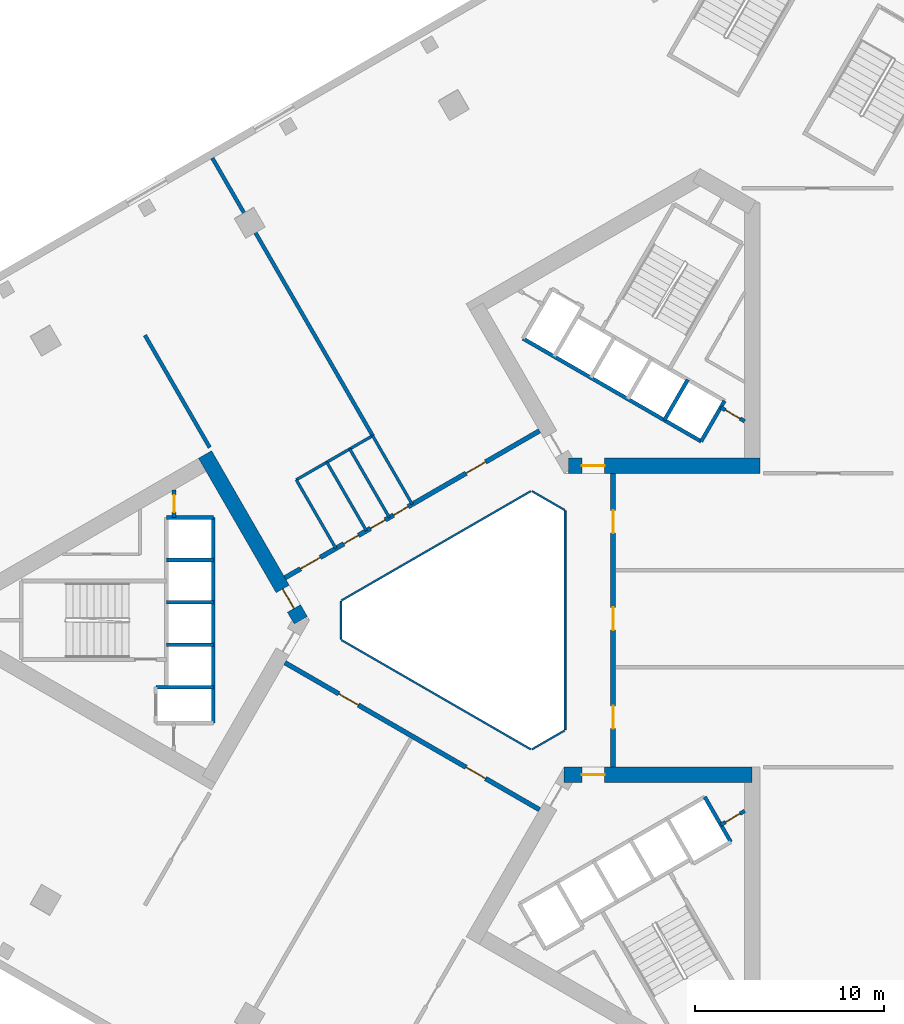
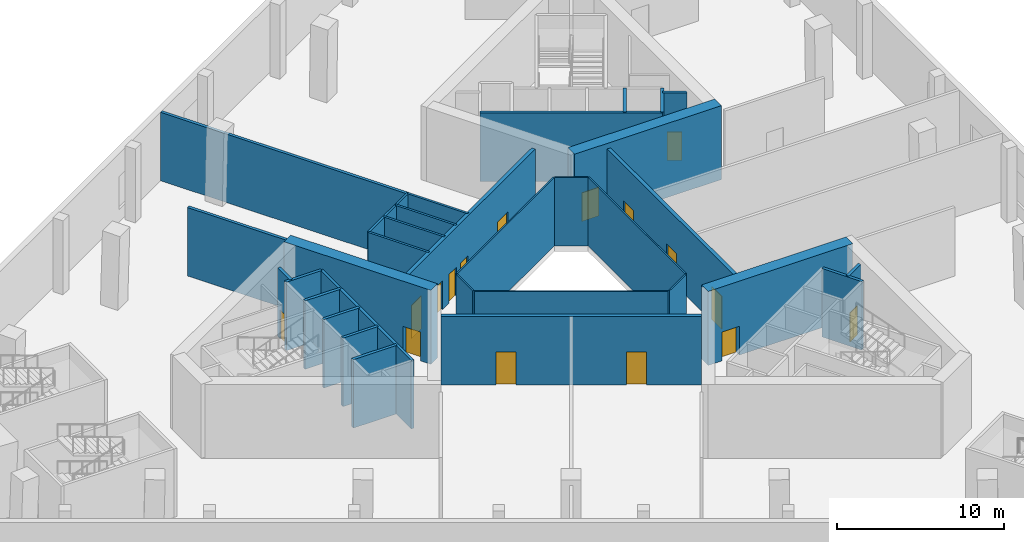
# One storey, part 9 of 35: 32 walls, 16 doors, 16 openings.
"""IFC4 building model written with IfcOpenShell, lengths in metres."""

from ifc_helpers import new_model, si_unit, direction, frame, frame_2d, origin, place, context, subcontext, project, spatial, rectangle, extrude, material, layer, layer_set, type_object, element, fill, save


model = new_model("IFC4")

# Units and contexts
model_context = context("Model", 3, precision=1e-05, world=origin(), true_north=direction((0.0, 1.0)))
body_context = subcontext(model_context, "Body", "Model", "MODEL_VIEW")
ifc_project = project(units=[si_unit("LENGTHUNIT", "METRE"), si_unit("AREAUNIT", "SQUARE_METRE"), si_unit("VOLUMEUNIT", "CUBIC_METRE"), si_unit("PLANEANGLEUNIT", "RADIAN"), si_unit("MASSUNIT", "GRAM", prefix="KILO")], contexts=[model_context])

# Site, building, storey
site_placement = place(None, origin())
site = spatial("IfcSite", under=ifc_project, at=site_placement, CompositionType="ELEMENT")
building_placement = place(site_placement, origin())
building = spatial("IfcBuilding", under=site, at=building_placement, Name="Jabali Bay Hotel Tower and Convention Centre", CompositionType="ELEMENT")
storey_placement = place(building_placement, frame((0.0, 0.0, 15.0)))
storey = spatial("IfcBuildingStorey", under=building, at=storey_placement, Name="L02", CompositionType="ELEMENT", Elevation=15.0)

# Walls
ifc_material_1 = material(Name="Fire-resistant glazing", Category="glass")
ifc_layer_1 = layer(ifc_material_1, 0.10009765625)
ifc_layer_set_1 = layer_set([ifc_layer_1], Name="Fire-resistant glazing")
wall_type_1 = type_object("IfcWallType", Name="Atrium glazed screen 100", PredefinedType="PARTITIONING", material=ifc_layer_set_1)
wall_1_placement = place(storey_placement, frame((79.56005859375, 74.205810546875, 0.0), z_axis=(0.0, 0.0, 1.0), x_axis=(0.0, 1.0, 0.0)))
element("IfcWall", 1, at=wall_1_placement, inside=storey, type_object=wall_type_1, Name="Atrium screen 1 L02", PredefinedType="PARTITIONING", context=body_context, shape_type="SweptSolid", body=[
    extrude(rectangle(XDim=11.58837890625, YDim=0.10009765625, at=frame_2d((5.794189453125, 0.0))), origin(), (0.0, 0.0, 1.0), 5.0),
])
wall_2_placement = place(storey_placement, frame((79.530029296875, 85.84619140625, 0.0), z_axis=(0.0, 0.0, 1.0), x_axis=(-0.866041268327, 0.499972520799, 0.0)))
element("IfcWall", 2, at=wall_2_placement, inside=storey, type_object=wall_type_1, Name="Atrium screen 2 L02", PredefinedType="PARTITIONING", context=body_context, shape_type="SweptSolid", body=[
    extrude(rectangle(XDim=2.0, YDim=0.10009765625, at=frame_2d((1.0, 0.0))), origin(), (0.0, 0.0, 1.0), 5.0),
])
wall_3_placement = place(storey_placement, frame((77.738037109375, 86.84619140625, 0.0), z_axis=(0.0, 0.0, 1.0), x_axis=(-0.866026658274, -0.499997827154, 0.0)))
element("IfcWall", 3, at=wall_3_placement, inside=storey, type_object=wall_type_1, Name="Atrium screen 3 L02", PredefinedType="PARTITIONING", context=body_context, shape_type="SweptSolid", body=[
    extrude(rectangle(XDim=11.58837890625, YDim=0.10009765625, at=frame_2d((5.794189453125, 0.0))), origin(), (0.0, 0.0, 1.0), 5.0),
])
wall_4_placement = place(storey_placement, frame((67.672119140625, 81.0, 0.0), z_axis=(0.0, 0.0, 1.0), x_axis=(0.0, -1.0, 0.0)))
element("IfcWall", 4, at=wall_4_placement, inside=storey, type_object=wall_type_1, Name="Atrium screen 4 L02", PredefinedType="PARTITIONING", context=body_context, shape_type="SweptSolid", body=[
    extrude(rectangle(XDim=2.0, YDim=0.10009765625, at=frame_2d((1.0, 0.0))), origin(), (0.0, 0.0, 1.0), 5.0),
])
wall_5_placement = place(storey_placement, frame((67.7021484375, 78.947998046875, 0.0), z_axis=(0.0, 0.0, 1.0), x_axis=(0.866026658274, -0.499997827154, 0.0)))
element("IfcWall", 5, at=wall_5_placement, inside=storey, type_object=wall_type_1, Name="Atrium screen 5 L02", PredefinedType="PARTITIONING", context=body_context, shape_type="SweptSolid", body=[
    extrude(rectangle(XDim=11.58837890625, YDim=0.10009765625, at=frame_2d((5.794189453125, 0.0))), origin(), (0.0, 0.0, 1.0), 5.0),
])
wall_6_placement = place(storey_placement, frame((77.7978515625, 73.15380859375, 0.0), z_axis=(0.0, 0.0, 1.0), x_axis=(0.866041268327, 0.499972520799, 0.0)))
element("IfcWall", 6, at=wall_6_placement, inside=storey, type_object=wall_type_1, Name="Atrium screen 6 L02", PredefinedType="PARTITIONING", context=body_context, shape_type="SweptSolid", body=[
    extrude(rectangle(XDim=2.0, YDim=0.10009765625, at=frame_2d((1.0, 0.0))), origin(), (0.0, 0.0, 1.0), 5.0),
])

# Wall, opening, door
ifc_material_2 = material(Name="Concrete C40", Category="concrete")
ifc_layer_2 = layer(ifc_material_2, 0.199951171875)
ifc_layer_set_2 = layer_set([ifc_layer_2], Name="Concrete C40")
wall_type_2 = type_object("IfcWallType", Name="Core partition wall 200", PredefinedType="PARTITIONING", material=ifc_layer_set_2)
wall_7_placement = place(storey_placement, frame((58.820068359375, 86.916748046875, 0.0), z_axis=(0.0, 0.0, 1.0), x_axis=(0.0, -1.0, 0.0)))
wall_7 = element("IfcWall", 7, at=wall_7_placement, inside=storey, type_object=wall_type_2, Name="Core wall 0.11 L02", PredefinedType="PARTITIONING", context=body_context, shape_type="SweptSolid", body=[
    extrude(rectangle(XDim=1.466796875, YDim=0.199951171875, at=frame_2d((0.7333984375, 0.0))), origin(), (0.0, 0.0, 1.0), 5.0),
])
opening_1_placement = place(wall_7_placement, frame((0.283447265625, 0.0, 0.0)))
opening_1 = element("IfcOpeningElement", 8, at=opening_1_placement, cuts=wall_7, Name="Opening D147", PredefinedType="OPENING", context=body_context, shape_type="SweptSolid", body=[
    extrude(rectangle(XDim=0.89990234375, YDim=2.10009765625, at=frame_2d((0.449951171875, 1.050048828125))), frame((0.0, 0.1103515625, 0.0), z_axis=(0.0, -1.0, 0.0), x_axis=(1.0, 0.0, 0.0)), (0.0, 0.0, 1.0), 0.220947265625),
])
ifc_material_3 = material(Name="Fire-rated steel door", Category="steel")
door_type_1 = type_object("IfcDoorType", Name="Vestibule fire door 900 x 2100", OperationType="NOTDEFINED", PredefinedType="NOTDEFINED", material=ifc_material_3)
door_1_placement = place(opening_1_placement, origin())
door_1 = element("IfcDoor", 9, at=door_1_placement, inside=storey, type_object=door_type_1, Name="Vestibule fire door D147", OperationType="SINGLE_SWING_LEFT", OverallHeight=2.10009765625, OverallWidth=0.89990234375, PredefinedType="NOTDEFINED", context=body_context, shape_type="SweptSolid", body=[
    extrude(rectangle(XDim=0.89990234375, YDim=2.10009765625, at=frame_2d((0.449951171875, 1.050048828125))), frame((0.0, 0.02490234375, 0.0), z_axis=(0.0, -1.0, 0.0), x_axis=(1.0, 0.0, 0.0)), (0.0, 0.0, 1.0), 0.050048828125),
])
fill(opening_1, door_1)

wall_8_placement = place(storey_placement, frame((89.080078125, 90.553955078125, 0.0), z_axis=(0.0, 0.0, 1.0), x_axis=(-0.866022048785, 0.500005810984, 0.0)))
wall_8 = element("IfcWall", 10, at=wall_8_placement, inside=storey, type_object=wall_type_2, Name="Core wall 1.11 L02", PredefinedType="PARTITIONING", context=body_context, shape_type="SweptSolid", body=[
    extrude(rectangle(XDim=1.466796875, YDim=0.199951171875, at=frame_2d((0.7333984375, 0.0))), origin(), (0.0, 0.0, 1.0), 5.0),
])
opening_2_placement = place(wall_8_placement, frame((0.283447265625, 0.0, 0.0)))
opening_2 = element("IfcOpeningElement", 11, at=opening_2_placement, cuts=wall_8, Name="Opening D153", PredefinedType="OPENING", context=body_context, shape_type="SweptSolid", body=[
    extrude(rectangle(XDim=0.89990234375, YDim=2.10009765625, at=frame_2d((0.449951171875, 1.050048828125))), frame((0.0, 0.1103515625, 0.0), z_axis=(0.0, -1.0, 0.0), x_axis=(1.0, 0.0, 0.0)), (0.0, 0.0, 1.0), 0.220947265625),
])
door_2_placement = place(opening_2_placement, origin())
door_2 = element("IfcDoor", 12, at=door_2_placement, inside=storey, type_object=door_type_1, Name="Vestibule fire door D153", OperationType="SINGLE_SWING_LEFT", OverallHeight=2.10009765625, OverallWidth=0.89990234375, PredefinedType="NOTDEFINED", context=body_context, shape_type="SweptSolid", body=[
    extrude(rectangle(XDim=0.89990234375, YDim=2.10009765625, at=frame_2d((0.449951171875, 1.050048828125))), frame((0.0, 0.02490234375, 0.0), z_axis=(0.0, -1.0, 0.0), x_axis=(1.0, 0.0, 0.0)), (0.0, 0.0, 1.0), 0.050048828125),
])
fill(opening_2, door_2)

wall_9_placement = place(storey_placement, frame((87.814697265625, 69.154296875, 0.0), z_axis=(0.0, 0.0, 1.0), x_axis=(0.866054810376, 0.49994906283, 0.0)))
wall_9 = element("IfcWall", 13, at=wall_9_placement, inside=storey, type_object=wall_type_2, Name="Core wall 2.12 L02", PredefinedType="PARTITIONING", context=body_context, shape_type="SweptSolid", body=[
    extrude(rectangle(XDim=1.461181640625, YDim=0.199951171875, at=frame_2d((0.73046875, 0.0))), origin(), (0.0, 0.0, 1.0), 5.0),
])
opening_3_placement = place(wall_9_placement, frame((0.280517578125, 0.0, 0.0)))
opening_3 = element("IfcOpeningElement", 14, at=opening_3_placement, cuts=wall_9, Name="Opening D158", PredefinedType="OPENING", context=body_context, shape_type="SweptSolid", body=[
    extrude(rectangle(XDim=0.89990234375, YDim=2.10009765625, at=frame_2d((0.449951171875, 1.050048828125))), frame((0.0, 0.1103515625, 0.0), z_axis=(0.0, -1.0, 0.0), x_axis=(1.0, 0.0, 0.0)), (0.0, 0.0, 1.0), 0.220947265625),
])
door_3_placement = place(opening_3_placement, origin())
door_3 = element("IfcDoor", 15, at=door_3_placement, inside=storey, type_object=door_type_1, Name="Vestibule fire door D158", OperationType="SINGLE_SWING_LEFT", OverallHeight=2.10009765625, OverallWidth=0.89990234375, PredefinedType="NOTDEFINED", context=body_context, shape_type="SweptSolid", body=[
    extrude(rectangle(XDim=0.89990234375, YDim=2.10009765625, at=frame_2d((0.449951171875, 1.050048828125))), frame((0.0, 0.02490234375, 0.0), z_axis=(0.0, -1.0, 0.0), x_axis=(1.0, 0.0, 0.0)), (0.0, 0.0, 1.0), 0.050048828125),
])
fill(opening_3, door_3)

# Walls
ifc_layer_3 = layer(ifc_material_2, 0.199951171875)
ifc_layer_set_3 = layer_set([ifc_layer_3], Name="Concrete C40")
wall_type_3 = type_object("IfcWallType", Name="Core stair wall 200", PredefinedType="SOLIDWALL", material=ifc_layer_set_3)
for number, where, z_axis, x_axis, name in (
    (16, (60.89990234375, 85.449951171875, 0.0), (0.0, 0.0, 1.0), (-1.0, 0.0, 0.0), "Core wall 0.0 L02"),
    (17, (60.89990234375, 83.199951171875, 0.0), (0.0, 0.0, 1.0), (-1.0, 0.0, 0.0), "Core wall 0.2 L02"),
    (18, (60.89990234375, 80.949951171875, 0.0), (0.0, 0.0, 1.0), (-1.0, 0.0, 0.0), "Core wall 0.4 L02"),
    (19, (60.89990234375, 78.699951171875, 0.0), (0.0, 0.0, 1.0), (-1.0, 0.0, 0.0), "Core wall 0.6 L02"),
):
    element("IfcWall", number, at=place(storey_placement, frame(where, z_axis=z_axis, x_axis=x_axis)), inside=storey, type_object=wall_type_3, Name=name, PredefinedType="SOLIDWALL", context=body_context, shape_type="SweptSolid", body=[
        extrude(rectangle(XDim=2.47998046875, YDim=0.199951171875, at=frame_2d((1.239990234375, 0.0))), origin(), (0.0, 0.0, 1.0), 5.0),
    ])
wall_10_placement = place(storey_placement, frame((60.89990234375, 76.449951171875, 0.0), z_axis=(0.0, 0.0, 1.0), x_axis=(-1.0, 0.0, 0.0)))
element("IfcWall", 20, at=wall_10_placement, inside=storey, type_object=wall_type_3, Name="Core wall 0.8 L02", PredefinedType="SOLIDWALL", context=body_context, shape_type="SweptSolid", body=[
    extrude(rectangle(XDim=3.0498046875, YDim=0.199951171875, at=frame_2d((1.52490234375, 0.0))), origin(), (0.0, 0.0, 1.0), 5.0),
])
wall_11_placement = place(storey_placement, frame((60.89990234375, 85.449951171875, 0.0), z_axis=(0.0, 0.0, 1.0), x_axis=(0.0, -1.0, 0.0)))
element("IfcWall", 21, at=wall_11_placement, inside=storey, type_object=wall_type_3, Name="Core wall 0.10 L02", PredefinedType="SOLIDWALL", context=body_context, shape_type="SweptSolid", body=[
    extrude(rectangle(XDim=10.89990234375, YDim=0.199951171875, at=frame_2d((5.449951171875, 0.0))), origin(), (0.0, 0.0, 1.0), 5.0),
])
for number, where, z_axis, x_axis, name in (
    (22, (86.769775390625, 89.48583984375, 0.0), (0.0, 0.0, 1.0), (0.499961042966, 0.86604789447, 0.0), "Core wall 1.0 L02"),
    (23, (84.8212890625, 90.61083984375, 0.0), (0.0, 0.0, 1.0), (0.499961042966, 0.86604789447, 0.0), "Core wall 1.2 L02"),
):
    element("IfcWall", number, at=place(storey_placement, frame(where, z_axis=z_axis, x_axis=x_axis)), inside=storey, type_object=wall_type_3, Name=name, PredefinedType="SOLIDWALL", context=body_context, shape_type="SweptSolid", body=[
        extrude(rectangle(XDim=2.480224609375, YDim=0.199951171875, at=frame_2d((1.240234375, 0.0))), origin(), (0.0, 0.0, 1.0), 5.0),
    ])
wall_12_placement = place(storey_placement, frame((86.769775390625, 89.48583984375, 0.0), z_axis=(0.0, 0.0, 1.0), x_axis=(-0.86601811187, 0.500012629753, 0.0)))
element("IfcWall", 24, at=wall_12_placement, inside=storey, type_object=wall_type_3, Name="Core wall 1.10 L02", PredefinedType="SOLIDWALL", context=body_context, shape_type="SweptSolid", body=[
    extrude(rectangle(XDim=10.900146484375, YDim=0.199951171875, at=frame_2d((5.4501953125, 0.0))), origin(), (0.0, 0.0, 1.0), 5.0),
])
wall_13_placement = place(storey_placement, frame((86.964599609375, 70.62646484375, 0.0), z_axis=(0.0, 0.0, 1.0), x_axis=(0.499996545922, -0.866027397988, 0.0)))
element("IfcWall", 25, at=wall_13_placement, inside=storey, type_object=wall_type_3, Name="Core wall 2.9 L02", PredefinedType="SOLIDWALL", context=body_context, shape_type="SweptSolid", body=[
    extrude(rectangle(XDim=2.75, YDim=0.199951171875, at=frame_2d((1.375, 0.0))), origin(), (0.0, 0.0, 1.0), 5.0),
])

# Wall, opening, door
ifc_material_4 = material(Name="Concrete C60", Category="concrete")
ifc_layer_4 = layer(ifc_material_4, 0.800048828125)
ifc_layer_set_4 = layer_set([ifc_layer_4], Name="Concrete C60")
wall_type_4 = type_object("IfcWallType", Name="Core wall 800", PredefinedType="SHEAR", material=ifc_layer_set_4)
wall_14_placement = place(storey_placement, frame((65.5380859375, 80.0, 0.0), z_axis=(0.0, 0.0, 1.0), x_axis=(-0.49999662545, 0.866027352073, 0.0)))
wall_14 = element("IfcWall", 26, at=wall_14_placement, inside=storey, type_object=wall_type_4, Name="Core wall 1.1 L02", PredefinedType="SHEAR", context=body_context, shape_type="SweptSolid", body=[
    extrude(rectangle(XDim=10.14892578125, YDim=0.800048828125, at=frame_2d((5.074462890625, 0.0))), origin(), (0.0, 0.0, 1.0), 5.39990234375),
])
opening_4_placement = place(wall_14_placement, frame((0.718994140625, 0.0, 0.0)))
opening_4 = element("IfcOpeningElement", 27, at=opening_4_placement, cuts=wall_14, Name="Opening D144", PredefinedType="OPENING", context=body_context, shape_type="SweptSolid", body=[
    extrude(rectangle(XDim=1.199951171875, YDim=2.10009765625, at=frame_2d((0.60009765625, 1.050048828125))), frame((0.0, 0.41064453125, 0.0), z_axis=(0.0, -1.0, 0.0), x_axis=(1.0, 0.0, 0.0)), (0.0, 0.0, 1.0), 0.821044921875),
])
door_type_2 = type_object("IfcDoorType", Name="Corridor end fire door 1200 x 2100", OperationType="NOTDEFINED", PredefinedType="NOTDEFINED", material=ifc_material_3)
door_4_placement = place(opening_4_placement, origin())
door_4 = element("IfcDoor", 28, at=door_4_placement, inside=storey, type_object=door_type_2, Name="Corridor end fire door D144", OperationType="SINGLE_SWING_RIGHT", OverallHeight=2.10009765625, OverallWidth=1.199951171875, PredefinedType="NOTDEFINED", context=body_context, shape_type="SweptSolid", body=[
    extrude(rectangle(XDim=1.199951171875, YDim=2.10009765625, at=frame_2d((0.60009765625, 1.050048828125))), frame((0.0, 0.02490234375, 0.0), z_axis=(0.0, -1.0, 0.0), x_axis=(1.0, 0.0, 0.0)), (0.0, 0.0, 1.0), 0.050048828125),
])
fill(opening_4, door_4)

wall_15_placement = place(storey_placement, frame((79.73095703125, 88.1943359375, 0.0), z_axis=(0.0, 0.0, 1.0), x_axis=(1.0, 0.0, 0.0)))
wall_15 = element("IfcWall", 29, at=wall_15_placement, inside=storey, type_object=wall_type_4, Name="Core wall 2.1 L02", PredefinedType="SHEAR", context=body_context, shape_type="SweptSolid", body=[
    extrude(rectangle(XDim=10.14892578125, YDim=0.800048828125, at=frame_2d((5.074462890625, 0.0))), origin(), (0.0, 0.0, 1.0), 5.39990234375),
])
opening_5_placement = place(wall_15_placement, frame((0.718994140625, 0.0, 0.0)))
opening_5 = element("IfcOpeningElement", 30, at=opening_5_placement, cuts=wall_15, Name="Opening D150", PredefinedType="OPENING", context=body_context, shape_type="SweptSolid", body=[
    extrude(rectangle(XDim=1.199951171875, YDim=2.10009765625, at=frame_2d((0.60009765625, 1.050048828125))), frame((0.0, 0.41064453125, 0.0), z_axis=(0.0, -1.0, 0.0), x_axis=(1.0, 0.0, 0.0)), (0.0, 0.0, 1.0), 0.821044921875),
])
door_5_placement = place(opening_5_placement, origin())
door_5 = element("IfcDoor", 31, at=door_5_placement, inside=storey, type_object=door_type_2, Name="Corridor end fire door D150", OperationType="SINGLE_SWING_RIGHT", OverallHeight=2.10009765625, OverallWidth=1.199951171875, PredefinedType="NOTDEFINED", context=body_context, shape_type="SweptSolid", body=[
    extrude(rectangle(XDim=1.199951171875, YDim=2.10009765625, at=frame_2d((0.60009765625, 1.050048828125))), frame((0.0, 0.02490234375, 0.0), z_axis=(0.0, -1.0, 0.0), x_axis=(1.0, 0.0, 0.0)), (0.0, 0.0, 1.0), 0.050048828125),
])
fill(opening_5, door_5)

wall_16_placement = place(storey_placement, frame((89.47998046875, 71.8056640625, 0.0), z_axis=(0.0, 0.0, 1.0), x_axis=(-1.0, 0.0, 0.0)))
wall_16 = element("IfcWall", 32, at=wall_16_placement, inside=storey, type_object=wall_type_4, Name="Core wall 3.5 L02", PredefinedType="SHEAR", context=body_context, shape_type="SweptSolid", body=[
    extrude(rectangle(XDim=9.97998046875, YDim=0.800048828125, at=frame_2d((4.989990234375, 0.0))), origin(), (0.0, 0.0, 1.0), 5.39990234375),
])
opening_6_placement = place(wall_16_placement, frame((7.830078125, 0.0, 0.0)))
opening_6 = element("IfcOpeningElement", 33, at=opening_6_placement, cuts=wall_16, Name="Opening D157", PredefinedType="OPENING", context=body_context, shape_type="SweptSolid", body=[
    extrude(rectangle(XDim=1.199951171875, YDim=2.10009765625, at=frame_2d((0.60009765625, 1.050048828125))), frame((0.0, 0.41064453125, 0.0), z_axis=(0.0, -1.0, 0.0), x_axis=(1.0, 0.0, 0.0)), (0.0, 0.0, 1.0), 0.821044921875),
])
door_6_placement = place(opening_6_placement, origin())
door_6 = element("IfcDoor", 34, at=door_6_placement, inside=storey, type_object=door_type_2, Name="Corridor end fire door D157", OperationType="SINGLE_SWING_LEFT", OverallHeight=2.10009765625, OverallWidth=1.199951171875, PredefinedType="NOTDEFINED", context=body_context, shape_type="SweptSolid", body=[
    extrude(rectangle(XDim=1.199951171875, YDim=2.10009765625, at=frame_2d((0.60009765625, 1.050048828125))), frame((0.0, 0.02490234375, 0.0), z_axis=(0.0, -1.0, 0.0), x_axis=(1.0, 0.0, 0.0)), (0.0, 0.0, 1.0), 0.050048828125),
])
fill(opening_6, door_6)

# Wall, openings, doors
ifc_layer_5 = layer(ifc_material_4, 0.25)
ifc_layer_set_5 = layer_set([ifc_layer_5], Name="Concrete C60")
wall_type_5 = type_object("IfcWallType", Name="Corridor wall 250", PredefinedType="SHEAR", material=ifc_layer_set_5)
wall_17_placement = place(storey_placement, frame((82.10009765625, 72.205810546875, 0.0), z_axis=(0.0, 0.0, 1.0), x_axis=(0.0, 1.0, 0.0)))
wall_17 = element("IfcWall", 35, at=wall_17_placement, inside=storey, type_object=wall_type_5, Name="Corridor wall 1 L02", PredefinedType="SHEAR", context=body_context, shape_type="SweptSolid", body=[
    extrude(rectangle(XDim=15.58837890625, YDim=0.25, at=frame_2d((7.794189453125, 0.0))), origin(), (0.0, 0.0, 1.0), 5.0),
])
opening_7_placement = place(wall_17_placement, frame((2.050048828125, 0.0, 0.0)))
opening_7 = element("IfcOpeningElement", 36, at=opening_7_placement, cuts=wall_17, Name="Opening 0201", PredefinedType="OPENING", context=body_context, shape_type="SweptSolid", body=[
    extrude(rectangle(XDim=1.199951171875, YDim=2.39990234375, at=frame_2d((0.60009765625, 1.199951171875))), frame((0.0, 0.135498046875, 0.0), z_axis=(0.0, -1.0, 0.0), x_axis=(1.0, 0.0, 0.0)), (0.0, 0.0, 1.0), 0.27099609375),
])
opening_8_placement = place(wall_17_placement, frame((7.272216796875, 0.0, 0.0)))
opening_8 = element("IfcOpeningElement", 37, at=opening_8_placement, cuts=wall_17, Name="Opening 0202", PredefinedType="OPENING", context=body_context, shape_type="SweptSolid", body=[
    extrude(rectangle(XDim=1.199951171875, YDim=2.39990234375, at=frame_2d((0.60009765625, 1.199951171875))), frame((0.0, 0.135498046875, 0.0), z_axis=(0.0, -1.0, 0.0), x_axis=(1.0, 0.0, 0.0)), (0.0, 0.0, 1.0), 0.27099609375),
])
opening_9_placement = place(wall_17_placement, frame((12.41650390625, 0.0, 0.0)))
opening_9 = element("IfcOpeningElement", 38, at=opening_9_placement, cuts=wall_17, Name="Opening 0203", PredefinedType="OPENING", context=body_context, shape_type="SweptSolid", body=[
    extrude(rectangle(XDim=1.199951171875, YDim=2.39990234375, at=frame_2d((0.60009765625, 1.199951171875))), frame((0.0, 0.135498046875, 0.0), z_axis=(0.0, -1.0, 0.0), x_axis=(1.0, 0.0, 0.0)), (0.0, 0.0, 1.0), 0.27099609375),
])
ifc_material_5 = material(Name="Timber", Category="wood")
door_type_3 = type_object("IfcDoorType", Name="Public room door 1200 x 2400", OperationType="NOTDEFINED", PredefinedType="NOTDEFINED", material=ifc_material_5)
door_7_placement = place(opening_7_placement, origin())
door_7 = element("IfcDoor", 39, at=door_7_placement, inside=storey, type_object=door_type_3, Name="Door 0201", OperationType="SINGLE_SWING_LEFT", OverallHeight=2.39990234375, OverallWidth=1.199951171875, PredefinedType="NOTDEFINED", context=body_context, shape_type="SweptSolid", body=[
    extrude(rectangle(XDim=1.199951171875, YDim=2.39990234375, at=frame_2d((0.60009765625, 1.199951171875))), frame((0.0, 0.02490234375, 0.0), z_axis=(0.0, -1.0, 0.0), x_axis=(1.0, 0.0, 0.0)), (0.0, 0.0, 1.0), 0.050048828125),
])
fill(opening_7, door_7)
door_8_placement = place(opening_8_placement, origin())
door_8 = element("IfcDoor", 40, at=door_8_placement, inside=storey, type_object=door_type_3, Name="Door 0202", OperationType="SINGLE_SWING_RIGHT", OverallHeight=2.39990234375, OverallWidth=1.199951171875, PredefinedType="NOTDEFINED", context=body_context, shape_type="SweptSolid", body=[
    extrude(rectangle(XDim=1.199951171875, YDim=2.39990234375, at=frame_2d((0.60009765625, 1.199951171875))), frame((0.0, 0.02490234375, 0.0), z_axis=(0.0, -1.0, 0.0), x_axis=(1.0, 0.0, 0.0)), (0.0, 0.0, 1.0), 0.050048828125),
])
fill(opening_8, door_8)
door_9_placement = place(opening_9_placement, origin())
door_9 = element("IfcDoor", 41, at=door_9_placement, inside=storey, type_object=door_type_3, Name="Door 0203", OperationType="SINGLE_SWING_RIGHT", OverallHeight=2.39990234375, OverallWidth=1.199951171875, PredefinedType="NOTDEFINED", context=body_context, shape_type="SweptSolid", body=[
    extrude(rectangle(XDim=1.199951171875, YDim=2.39990234375, at=frame_2d((0.60009765625, 1.199951171875))), frame((0.0, 0.02490234375, 0.0), z_axis=(0.0, -1.0, 0.0), x_axis=(1.0, 0.0, 0.0)), (0.0, 0.0, 1.0), 0.050048828125),
])
fill(opening_9, door_9)

wall_18_placement = place(storey_placement, frame((78.199951171875, 90.0458984375, 0.0), z_axis=(0.0, 0.0, 1.0), x_axis=(-0.866026492143, -0.499998114903, 0.0)))
wall_18 = element("IfcWall", 42, at=wall_18_placement, inside=storey, type_object=wall_type_5, Name="Corridor wall 2 L02", PredefinedType="SHEAR", context=body_context, shape_type="SweptSolid", body=[
    extrude(rectangle(XDim=15.58837890625, YDim=0.25, at=frame_2d((7.794189453125, 0.0))), origin(), (0.0, 0.0, 1.0), 5.0),
])
opening_10_placement = place(wall_18_placement, frame((3.297119140625, 0.0, 0.0)))
opening_10 = element("IfcOpeningElement", 43, at=opening_10_placement, cuts=wall_18, Name="Opening 0204", PredefinedType="OPENING", context=body_context, shape_type="SweptSolid", body=[
    extrude(rectangle(XDim=1.199951171875, YDim=2.39990234375, at=frame_2d((0.60009765625, 1.199951171875))), frame((0.0, 0.135498046875, 0.0), z_axis=(0.0, -1.0, 0.0), x_axis=(1.0, 0.0, 0.0)), (0.0, 0.0, 1.0), 0.27099609375),
])
opening_11_placement = place(wall_18_placement, frame((8.045654296875, 0.0, 0.0)))
opening_11 = element("IfcOpeningElement", 44, at=opening_11_placement, cuts=wall_18, Name="Opening 0205", PredefinedType="OPENING", context=body_context, shape_type="SweptSolid", body=[
    extrude(rectangle(XDim=0.89990234375, YDim=2.10009765625, at=frame_2d((0.449951171875, 1.050048828125))), frame((0.0, 0.135498046875, 0.0), z_axis=(0.0, -1.0, 0.0), x_axis=(1.0, 0.0, 0.0)), (0.0, 0.0, 1.0), 0.27099609375),
])
opening_12_placement = place(wall_18_placement, frame((9.44873046875, 0.0, 0.0)))
opening_12 = element("IfcOpeningElement", 45, at=opening_12_placement, cuts=wall_18, Name="Opening 0206", PredefinedType="OPENING", context=body_context, shape_type="SweptSolid", body=[
    extrude(rectangle(XDim=0.89990234375, YDim=2.10009765625, at=frame_2d((0.449951171875, 1.050048828125))), frame((0.0, 0.135498046875, 0.0), z_axis=(0.0, -1.0, 0.0), x_axis=(1.0, 0.0, 0.0)), (0.0, 0.0, 1.0), 0.27099609375),
])
opening_13_placement = place(wall_18_placement, frame((11.08544921875, 0.0, 0.0)))
opening_13 = element("IfcOpeningElement", 46, at=opening_13_placement, cuts=wall_18, Name="Opening 0207", PredefinedType="OPENING", context=body_context, shape_type="SweptSolid", body=[
    extrude(rectangle(XDim=0.89990234375, YDim=2.10009765625, at=frame_2d((0.449951171875, 1.050048828125))), frame((0.0, 0.135498046875, 0.0), z_axis=(0.0, -1.0, 0.0), x_axis=(1.0, 0.0, 0.0)), (0.0, 0.0, 1.0), 0.27099609375),
])
opening_14_placement = place(wall_18_placement, frame((13.4296875, 0.0, 0.0)))
opening_14 = element("IfcOpeningElement", 47, at=opening_14_placement, cuts=wall_18, Name="Opening 0208", PredefinedType="OPENING", context=body_context, shape_type="SweptSolid", body=[
    extrude(rectangle(XDim=1.199951171875, YDim=2.39990234375, at=frame_2d((0.60009765625, 1.199951171875))), frame((0.0, 0.135498046875, 0.0), z_axis=(0.0, -1.0, 0.0), x_axis=(1.0, 0.0, 0.0)), (0.0, 0.0, 1.0), 0.27099609375),
])
door_type_4 = type_object("IfcDoorType", Name="Accessible en-suite door 900 x 2100", OperationType="NOTDEFINED", PredefinedType="NOTDEFINED", material=ifc_material_5)
door_10_placement = place(opening_13_placement, origin())
door_10 = element("IfcDoor", 48, at=door_10_placement, inside=storey, type_object=door_type_4, Name="Door 0207", OperationType="SINGLE_SWING_RIGHT", OverallHeight=2.10009765625, OverallWidth=0.89990234375, PredefinedType="NOTDEFINED", context=body_context, shape_type="SweptSolid", body=[
    extrude(rectangle(XDim=0.89990234375, YDim=2.10009765625, at=frame_2d((0.449951171875, 1.050048828125))), frame((0.0, 0.02490234375, 0.0), z_axis=(0.0, -1.0, 0.0), x_axis=(1.0, 0.0, 0.0)), (0.0, 0.0, 1.0), 0.050048828125),
])
fill(opening_13, door_10)
door_type_5 = type_object("IfcDoorType", Name="Internal door 900 x 2100", OperationType="NOTDEFINED", PredefinedType="NOTDEFINED", material=ifc_material_5)
door_11_placement = place(opening_11_placement, origin())
door_11 = element("IfcDoor", 49, at=door_11_placement, inside=storey, type_object=door_type_5, Name="Door 0205", OperationType="SINGLE_SWING_RIGHT", OverallHeight=2.10009765625, OverallWidth=0.89990234375, PredefinedType="NOTDEFINED", context=body_context, shape_type="SweptSolid", body=[
    extrude(rectangle(XDim=0.89990234375, YDim=2.10009765625, at=frame_2d((0.449951171875, 1.050048828125))), frame((0.0, 0.02490234375, 0.0), z_axis=(0.0, -1.0, 0.0), x_axis=(1.0, 0.0, 0.0)), (0.0, 0.0, 1.0), 0.050048828125),
])
fill(opening_11, door_11)
door_12_placement = place(opening_12_placement, origin())
door_12 = element("IfcDoor", 50, at=door_12_placement, inside=storey, type_object=door_type_5, Name="Door 0206", OperationType="SINGLE_SWING_RIGHT", OverallHeight=2.10009765625, OverallWidth=0.89990234375, PredefinedType="NOTDEFINED", context=body_context, shape_type="SweptSolid", body=[
    extrude(rectangle(XDim=0.89990234375, YDim=2.10009765625, at=frame_2d((0.449951171875, 1.050048828125))), frame((0.0, 0.02490234375, 0.0), z_axis=(0.0, -1.0, 0.0), x_axis=(1.0, 0.0, 0.0)), (0.0, 0.0, 1.0), 0.050048828125),
])
fill(opening_12, door_12)
door_13_placement = place(opening_10_placement, origin())
door_13 = element("IfcDoor", 51, at=door_13_placement, inside=storey, type_object=door_type_3, Name="Door 0204", OperationType="SINGLE_SWING_LEFT", OverallHeight=2.39990234375, OverallWidth=1.199951171875, PredefinedType="NOTDEFINED", context=body_context, shape_type="SweptSolid", body=[
    extrude(rectangle(XDim=1.199951171875, YDim=2.39990234375, at=frame_2d((0.60009765625, 1.199951171875))), frame((0.0, 0.02490234375, 0.0), z_axis=(0.0, -1.0, 0.0), x_axis=(1.0, 0.0, 0.0)), (0.0, 0.0, 1.0), 0.050048828125),
])
fill(opening_10, door_13)
door_14_placement = place(opening_14_placement, origin())
door_14 = element("IfcDoor", 52, at=door_14_placement, inside=storey, type_object=door_type_3, Name="Door 0208", OperationType="SINGLE_SWING_RIGHT", OverallHeight=2.39990234375, OverallWidth=1.199951171875, PredefinedType="NOTDEFINED", context=body_context, shape_type="SweptSolid", body=[
    extrude(rectangle(XDim=1.199951171875, YDim=2.39990234375, at=frame_2d((0.60009765625, 1.199951171875))), frame((0.0, 0.02490234375, 0.0), z_axis=(0.0, -1.0, 0.0), x_axis=(1.0, 0.0, 0.0)), (0.0, 0.0, 1.0), 0.050048828125),
])
fill(opening_14, door_14)

wall_19_placement = place(storey_placement, frame((64.699951171875, 77.748291015625, 0.0), z_axis=(0.0, 0.0, 1.0), x_axis=(0.866026492143, -0.499998114903, 0.0)))
wall_19 = element("IfcWall", 53, at=wall_19_placement, inside=storey, type_object=wall_type_5, Name="Corridor wall 3 L02", PredefinedType="SHEAR", context=body_context, shape_type="SweptSolid", body=[
    extrude(rectangle(XDim=15.58837890625, YDim=0.25, at=frame_2d((7.794189453125, 0.0))), origin(), (0.0, 0.0, 1.0), 5.0),
])
opening_15_placement = place(wall_19_placement, frame((3.297119140625, 0.0, 0.0)))
opening_15 = element("IfcOpeningElement", 54, at=opening_15_placement, cuts=wall_19, Name="Opening 0209", PredefinedType="OPENING", context=body_context, shape_type="SweptSolid", body=[
    extrude(rectangle(XDim=1.199951171875, YDim=2.39990234375, at=frame_2d((0.60009765625, 1.199951171875))), frame((0.0, 0.135498046875, 0.0), z_axis=(0.0, -1.0, 0.0), x_axis=(1.0, 0.0, 0.0)), (0.0, 0.0, 1.0), 0.27099609375),
])
opening_16_placement = place(wall_19_placement, frame((11.09130859375, 0.0, 0.0)))
opening_16 = element("IfcOpeningElement", 55, at=opening_16_placement, cuts=wall_19, Name="Opening 0210", PredefinedType="OPENING", context=body_context, shape_type="SweptSolid", body=[
    extrude(rectangle(XDim=1.199951171875, YDim=2.39990234375, at=frame_2d((0.60009765625, 1.199951171875))), frame((0.0, 0.135498046875, 0.0), z_axis=(0.0, -1.0, 0.0), x_axis=(1.0, 0.0, 0.0)), (0.0, 0.0, 1.0), 0.27099609375),
])
door_15_placement = place(opening_15_placement, origin())
door_15 = element("IfcDoor", 56, at=door_15_placement, inside=storey, type_object=door_type_3, Name="Door 0209", OperationType="SINGLE_SWING_LEFT", OverallHeight=2.39990234375, OverallWidth=1.199951171875, PredefinedType="NOTDEFINED", context=body_context, shape_type="SweptSolid", body=[
    extrude(rectangle(XDim=1.199951171875, YDim=2.39990234375, at=frame_2d((0.60009765625, 1.199951171875))), frame((0.0, 0.02490234375, 0.0), z_axis=(0.0, -1.0, 0.0), x_axis=(1.0, 0.0, 0.0)), (0.0, 0.0, 1.0), 0.050048828125),
])
fill(opening_15, door_15)
door_16_placement = place(opening_16_placement, origin())
door_16 = element("IfcDoor", 57, at=door_16_placement, inside=storey, type_object=door_type_3, Name="Door 0210", OperationType="SINGLE_SWING_RIGHT", OverallHeight=2.39990234375, OverallWidth=1.199951171875, PredefinedType="NOTDEFINED", context=body_context, shape_type="SweptSolid", body=[
    extrude(rectangle(XDim=1.199951171875, YDim=2.39990234375, at=frame_2d((0.60009765625, 1.199951171875))), frame((0.0, 0.02490234375, 0.0), z_axis=(0.0, -1.0, 0.0), x_axis=(1.0, 0.0, 0.0)), (0.0, 0.0, 1.0), 0.050048828125),
])
fill(opening_16, door_16)

# Walls
ifc_material_6 = material(Name="Plasterboard on steel stud", Category="steel")
ifc_layer_6 = layer(ifc_material_6, 0.14990234375)
ifc_layer_set_6 = layer_set([ifc_layer_6], Name="Plasterboard on steel stud")
wall_type_6 = type_object("IfcWallType", Name="Partition 150 wet", PredefinedType="PARTITIONING", material=ifc_layer_set_6)
wall_20_placement = place(storey_placement, frame((69.35009765625, 89.7861328125, 0.0), z_axis=(0.0, 0.0, 1.0), x_axis=(0.499958946799, -0.866049104564, 0.0)))
element("IfcWall", 58, at=wall_20_placement, inside=storey, type_object=wall_type_6, Name="Partition P03 L02 005", PredefinedType="PARTITIONING", context=body_context, shape_type="SweptSolid", body=[
    extrude(rectangle(XDim=4.199951171875, YDim=0.14990234375, at=frame_2d((2.10009765625, 0.0))), origin(), (0.0, 0.0, 1.0), 5.0),
])
wall_21_placement = place(storey_placement, frame((68.135009765625, 89.084716796875, 0.0), z_axis=(0.0, 0.0, 1.0), x_axis=(0.500002543286, -0.866023935413, 0.0)))
element("IfcWall", 59, at=wall_21_placement, inside=storey, type_object=wall_type_6, Name="Partition P03 L02 007", PredefinedType="PARTITIONING", context=body_context, shape_type="SweptSolid", body=[
    extrude(rectangle(XDim=4.2001953125, YDim=0.14990234375, at=frame_2d((2.10009765625, 0.0))), origin(), (0.0, 0.0, 1.0), 5.0),
])
wall_22_placement = place(storey_placement, frame((66.919921875, 88.383056640625, 0.0), z_axis=(0.0, 0.0, 1.0), x_axis=(0.500027713859, -0.866009402589, 0.0)))
element("IfcWall", 60, at=wall_22_placement, inside=storey, type_object=wall_type_6, Name="Partition P03 L02 008", PredefinedType="PARTITIONING", context=body_context, shape_type="SweptSolid", body=[
    extrude(rectangle(XDim=4.199951171875, YDim=0.14990234375, at=frame_2d((2.10009765625, 0.0))), origin(), (0.0, 0.0, 1.0), 5.0),
])
wall_23_placement = place(storey_placement, frame((69.3505859375, 89.78515625, 0.0), z_axis=(0.0, 0.0, 1.0), x_axis=(-0.866040404911, -0.499974016386, 0.0)))
element("IfcWall", 61, at=wall_23_placement, inside=storey, type_object=wall_type_6, Name="Partition P03 L02 009", PredefinedType="PARTITIONING", context=body_context, shape_type="SweptSolid", body=[
    extrude(rectangle(XDim=4.676513671875, YDim=0.14990234375, at=frame_2d((2.33837890625, 0.0))), origin(), (0.0, 0.0, 1.0), 5.0),
])
wall_24_placement = place(storey_placement, frame((65.300537109375, 87.447021484375, 0.0), z_axis=(0.0, 0.0, 1.0), x_axis=(0.499972428603, -0.866041321553, 0.0)))
element("IfcWall", 62, at=wall_24_placement, inside=storey, type_object=wall_type_6, Name="Partition P03 L02 010", PredefinedType="PARTITIONING", context=body_context, shape_type="SweptSolid", body=[
    extrude(rectangle(XDim=4.198974609375, YDim=0.14990234375, at=frame_2d((2.099609375, 0.0))), origin(), (0.0, 0.0, 1.0), 5.0),
])
ifc_layer_7 = layer(ifc_material_6, 0.199951171875)
ifc_layer_set_7 = layer_set([ifc_layer_7], Name="Plasterboard on steel stud")
wall_type_7 = type_object("IfcWallType", Name="Partition 200 party", PredefinedType="PARTITIONING", material=ifc_layer_set_7)
wall_25_placement = place(storey_placement, frame((60.850341796875, 104.509765625, 0.0), z_axis=(0.0, 0.0, 1.0), x_axis=(0.500003389066, -0.866023447097, 0.0)))
element("IfcWall", 63, at=wall_25_placement, inside=storey, type_object=wall_type_7, Name="Partition P01 L02 006", PredefinedType="PARTITIONING", context=body_context, shape_type="SweptSolid", body=[
    extrude(rectangle(XDim=17.0009765625, YDim=0.199951171875, at=frame_2d((8.50048828125, 0.0))), origin(), (0.0, 0.0, 1.0), 5.0),
])
wall_26_placement = place(storey_placement, frame((57.273681640625, 95.114501953125, 0.0), z_axis=(0.0, 0.0, 1.0), x_axis=(0.499985838573, -0.866033579734, 0.0)))
element("IfcWall", 64, at=wall_26_placement, inside=storey, type_object=wall_type_7, Name="Partition P01 L02 011", PredefinedType="PARTITIONING", context=body_context, shape_type="SweptSolid", body=[
    extrude(rectangle(XDim=6.873779296875, YDim=0.199951171875, at=frame_2d((3.43701171875, 0.0))), origin(), (0.0, 0.0, 1.0), 5.0),
])

save(model, "model.ifc")
